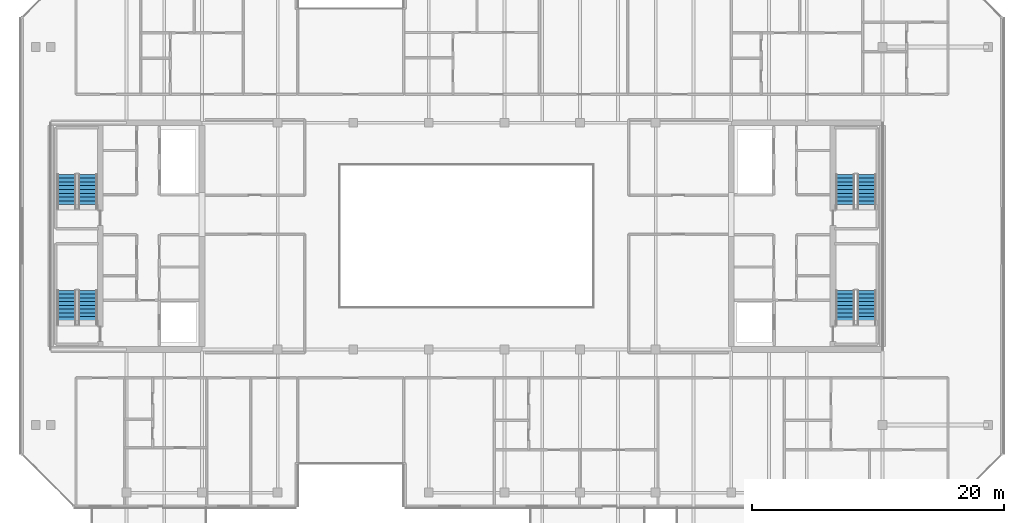
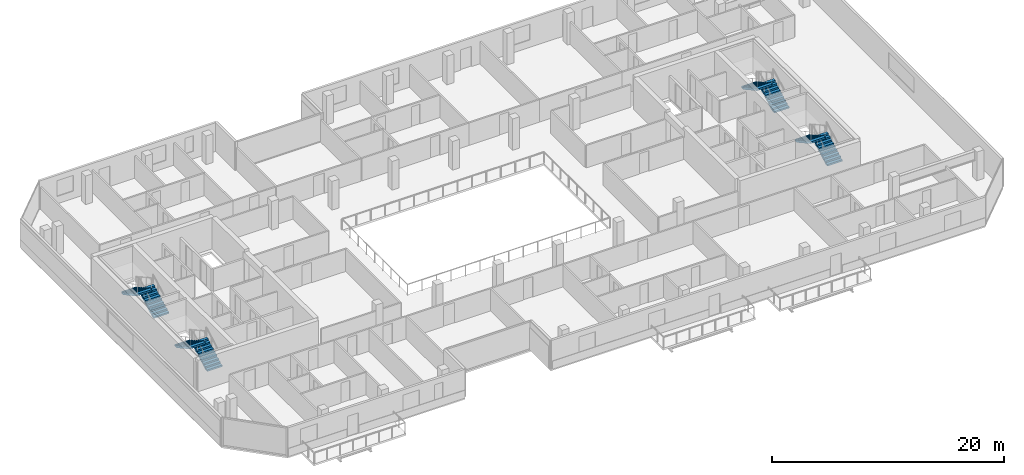
# One storey, part 20 of 24: 8 stair flights, 4 elements without a shape of their own.
"""IFC4 building model written with IfcOpenShell, lengths in metres."""

from ifc_helpers import new_model, si_unit, direction, frame, origin, place, context, subcontext, project, spatial, polyline, outline, extrude, material, type_object, element, aggregate, save


model = new_model("IFC4")

# Units and contexts
model_context = context("Model", 3, precision=1e-05, world=origin(), true_north=direction((0.0, 1.0)))
body_context = subcontext(model_context, "Body", "Model", "MODEL_VIEW")
ifc_project = project(units=[si_unit("LENGTHUNIT", "METRE"), si_unit("AREAUNIT", "SQUARE_METRE"), si_unit("VOLUMEUNIT", "CUBIC_METRE"), si_unit("PLANEANGLEUNIT", "RADIAN"), si_unit("MASSUNIT", "GRAM", prefix="KILO")], contexts=[model_context])

# Site, building, storey
site_placement = place(None, origin())
site = spatial("IfcSite", under=ifc_project, at=site_placement, CompositionType="ELEMENT")
building_placement = place(site_placement, origin())
building = spatial("IfcBuilding", under=site, at=building_placement, Name="Tanjung Sevakor Pilgrim Tower", CompositionType="ELEMENT")
storey_placement = place(building_placement, frame((0.0, 0.0, 226.050048828125)))
storey = spatial("IfcBuildingStorey", under=building, at=storey_placement, Name="L63", CompositionType="ELEMENT", Elevation=226.050048828125)

# Stair, stair flights
ifc_material_1 = material(Name="Concrete C40/50", Category="concrete")
stair_type = type_object("IfcStairType", Name="STAIR-ST-CR150", PredefinedType="HALF_TURN_STAIR", material=ifc_material_1)
stair_1_placement = place(storey_placement, origin())
stair_1 = element("IfcStair", 1, at=stair_1_placement, inside=storey, type_object=stair_type, Name="L63 West Core Exit Stair 1", PredefinedType="HALF_TURN_STAIR")
ifc_material_2 = material(Name="Concrete C40/50", Category="concrete")
stair_flight_type = type_object("IfcStairFlightType", Name="FLIGHT-ST-CR150", PredefinedType="STRAIGHT", material=ifc_material_2)
stair_flight_1_placement = place(storey_placement, frame((26.949951171875, 26.60009765625, 0.0), z_axis=(0.0, 0.0, 1.0), x_axis=(0.0, 1.0, 0.0)))
stair_flight_1 = element("IfcStairFlight", 2, at=stair_flight_1_placement, type_object=stair_flight_type, Name="TS-W1 flight 1", NumberOfRisers=10, NumberOfTreads=9, PredefinedType="STRAIGHT", RiserHeight=0.165, TreadLength=0.3, context=body_context, shape_type="SweptSolid", body=[
    extrude(outline(polyline([(0.0, 0.0), (0.0, 0.1650390625), (0.300048828125, 0.1650390625), (0.300048828125, 0.330078125), (0.60009765625, 0.330078125), (0.60009765625, 0.4951171875), (0.89990234375, 0.4951171875), (0.89990234375, 0.659912109375), (1.199951171875, 0.659912109375), (1.199951171875, 0.824951171875), (1.5, 0.824951171875), (1.5, 0.989990234375), (1.800048828125, 0.989990234375), (1.800048828125, 1.155029296875), (2.10009765625, 1.155029296875), (2.10009765625, 1.320068359375), (2.39990234375, 1.320068359375), (2.39990234375, 1.485107421875), (2.699951171875, 1.485107421875), (2.699951171875, 1.64990234375), (2.699951171875, 1.302490234375), (0.331787109375, 0.0), (0.0, 0.0)])), frame((0.0, 0.75, 0.0), z_axis=(0.0, -1.0, 0.0), x_axis=(1.0, 0.0, 0.0)), (0.0, 0.0, 1.0), 1.5),
])
stair_flight_2_placement = place(storey_placement, frame((25.25, 29.300048828125, 1.64990234375), z_axis=(0.0, 0.0, 1.0), x_axis=(0.0, -1.0, 0.0)))
stair_flight_2 = element("IfcStairFlight", 3, at=stair_flight_2_placement, type_object=stair_flight_type, Name="TS-W1 flight 2", NumberOfRisers=10, NumberOfTreads=9, PredefinedType="STRAIGHT", RiserHeight=0.165, TreadLength=0.3, context=body_context, shape_type="SweptSolid", body=[
    extrude(outline(polyline([(0.0, 0.0), (0.0, 0.1650390625), (0.300048828125, 0.1650390625), (0.300048828125, 0.330078125), (0.60009765625, 0.330078125), (0.60009765625, 0.4951171875), (0.89990234375, 0.4951171875), (0.89990234375, 0.659912109375), (1.199951171875, 0.659912109375), (1.199951171875, 0.824951171875), (1.5, 0.824951171875), (1.5, 0.989990234375), (1.800048828125, 0.989990234375), (1.800048828125, 1.155029296875), (2.10009765625, 1.155029296875), (2.10009765625, 1.320068359375), (2.39990234375, 1.320068359375), (2.39990234375, 1.485107421875), (2.699951171875, 1.485107421875), (2.699951171875, 1.64990234375), (2.699951171875, 1.302490234375), (0.331787109375, 0.0), (0.0, 0.0)])), frame((0.0, 0.75, 0.0), z_axis=(0.0, -1.0, 0.0), x_axis=(1.0, 0.0, 0.0)), (0.0, 0.0, 1.0), 1.5),
])
aggregate(stair_1, [stair_flight_1, stair_flight_2])

stair_2_placement = place(storey_placement, origin())
stair_2 = element("IfcStair", 4, at=stair_2_placement, inside=storey, type_object=stair_type, Name="L63 West Core Exit Stair 2", PredefinedType="HALF_TURN_STAIR")
stair_flight_3_placement = place(storey_placement, frame((26.949951171875, 35.800048828125, 0.0), z_axis=(0.0, 0.0, 1.0), x_axis=(0.0, 1.0, 0.0)))
stair_flight_3 = element("IfcStairFlight", 5, at=stair_flight_3_placement, type_object=stair_flight_type, Name="TS-W2 flight 1", NumberOfRisers=10, NumberOfTreads=9, PredefinedType="STRAIGHT", RiserHeight=0.165, TreadLength=0.3, context=body_context, shape_type="SweptSolid", body=[
    extrude(outline(polyline([(0.0, 0.0), (0.0, 0.1650390625), (0.300048828125, 0.1650390625), (0.300048828125, 0.330078125), (0.60009765625, 0.330078125), (0.60009765625, 0.4951171875), (0.89990234375, 0.4951171875), (0.89990234375, 0.659912109375), (1.199951171875, 0.659912109375), (1.199951171875, 0.824951171875), (1.5, 0.824951171875), (1.5, 0.989990234375), (1.800048828125, 0.989990234375), (1.800048828125, 1.155029296875), (2.10009765625, 1.155029296875), (2.10009765625, 1.320068359375), (2.39990234375, 1.320068359375), (2.39990234375, 1.485107421875), (2.699951171875, 1.485107421875), (2.699951171875, 1.64990234375), (2.699951171875, 1.302490234375), (0.331787109375, 0.0), (0.0, 0.0)])), frame((0.0, 0.75, 0.0), z_axis=(0.0, -1.0, 0.0), x_axis=(1.0, 0.0, 0.0)), (0.0, 0.0, 1.0), 1.5),
])
stair_flight_4_placement = place(storey_placement, frame((25.25, 38.5, 1.64990234375), z_axis=(0.0, 0.0, 1.0), x_axis=(0.0, -1.0, 0.0)))
stair_flight_4 = element("IfcStairFlight", 6, at=stair_flight_4_placement, type_object=stair_flight_type, Name="TS-W2 flight 2", NumberOfRisers=10, NumberOfTreads=9, PredefinedType="STRAIGHT", RiserHeight=0.165, TreadLength=0.3, context=body_context, shape_type="SweptSolid", body=[
    extrude(outline(polyline([(0.0, 0.0), (0.0, 0.1650390625), (0.300048828125, 0.1650390625), (0.300048828125, 0.330078125), (0.60009765625, 0.330078125), (0.60009765625, 0.4951171875), (0.89990234375, 0.4951171875), (0.89990234375, 0.659912109375), (1.199951171875, 0.659912109375), (1.199951171875, 0.824951171875), (1.5, 0.824951171875), (1.5, 0.989990234375), (1.800048828125, 0.989990234375), (1.800048828125, 1.155029296875), (2.10009765625, 1.155029296875), (2.10009765625, 1.320068359375), (2.39990234375, 1.320068359375), (2.39990234375, 1.485107421875), (2.699951171875, 1.485107421875), (2.699951171875, 1.64990234375), (2.699951171875, 1.302490234375), (0.331787109375, 0.0), (0.0, 0.0)])), frame((0.0, 0.75, 0.0), z_axis=(0.0, -1.0, 0.0), x_axis=(1.0, 0.0, 0.0)), (0.0, 0.0, 1.0), 1.5),
])
aggregate(stair_2, [stair_flight_3, stair_flight_4])

stair_3_placement = place(storey_placement, origin())
stair_3 = element("IfcStair", 7, at=stair_3_placement, inside=storey, type_object=stair_type, Name="L63 East Core Exit Stair 1", PredefinedType="HALF_TURN_STAIR")
stair_flight_5_placement = place(storey_placement, frame((88.75, 26.60009765625, 0.0), z_axis=(0.0, 0.0, 1.0), x_axis=(0.0, 1.0, 0.0)))
stair_flight_5 = element("IfcStairFlight", 8, at=stair_flight_5_placement, type_object=stair_flight_type, Name="TS-E1 flight 1", NumberOfRisers=10, NumberOfTreads=9, PredefinedType="STRAIGHT", RiserHeight=0.165, TreadLength=0.3, context=body_context, shape_type="SweptSolid", body=[
    extrude(outline(polyline([(0.0, 0.0), (0.0, 0.1650390625), (0.300048828125, 0.1650390625), (0.300048828125, 0.330078125), (0.60009765625, 0.330078125), (0.60009765625, 0.4951171875), (0.89990234375, 0.4951171875), (0.89990234375, 0.659912109375), (1.199951171875, 0.659912109375), (1.199951171875, 0.824951171875), (1.5, 0.824951171875), (1.5, 0.989990234375), (1.800048828125, 0.989990234375), (1.800048828125, 1.155029296875), (2.10009765625, 1.155029296875), (2.10009765625, 1.320068359375), (2.39990234375, 1.320068359375), (2.39990234375, 1.485107421875), (2.699951171875, 1.485107421875), (2.699951171875, 1.64990234375), (2.699951171875, 1.302490234375), (0.331787109375, 0.0), (0.0, 0.0)])), frame((0.0, 0.75, 0.0), z_axis=(0.0, -1.0, 0.0), x_axis=(1.0, 0.0, 0.0)), (0.0, 0.0, 1.0), 1.5),
])
stair_flight_6_placement = place(storey_placement, frame((87.050048828125, 29.300048828125, 1.64990234375), z_axis=(0.0, 0.0, 1.0), x_axis=(0.0, -1.0, 0.0)))
stair_flight_6 = element("IfcStairFlight", 9, at=stair_flight_6_placement, type_object=stair_flight_type, Name="TS-E1 flight 2", NumberOfRisers=10, NumberOfTreads=9, PredefinedType="STRAIGHT", RiserHeight=0.165, TreadLength=0.3, context=body_context, shape_type="SweptSolid", body=[
    extrude(outline(polyline([(0.0, 0.0), (0.0, 0.1650390625), (0.300048828125, 0.1650390625), (0.300048828125, 0.330078125), (0.60009765625, 0.330078125), (0.60009765625, 0.4951171875), (0.89990234375, 0.4951171875), (0.89990234375, 0.659912109375), (1.199951171875, 0.659912109375), (1.199951171875, 0.824951171875), (1.5, 0.824951171875), (1.5, 0.989990234375), (1.800048828125, 0.989990234375), (1.800048828125, 1.155029296875), (2.10009765625, 1.155029296875), (2.10009765625, 1.320068359375), (2.39990234375, 1.320068359375), (2.39990234375, 1.485107421875), (2.699951171875, 1.485107421875), (2.699951171875, 1.64990234375), (2.699951171875, 1.302490234375), (0.331787109375, 0.0), (0.0, 0.0)])), frame((0.0, 0.75, 0.0), z_axis=(0.0, -1.0, 0.0), x_axis=(1.0, 0.0, 0.0)), (0.0, 0.0, 1.0), 1.5),
])
aggregate(stair_3, [stair_flight_5, stair_flight_6])

stair_4_placement = place(storey_placement, origin())
stair_4 = element("IfcStair", 10, at=stair_4_placement, inside=storey, type_object=stair_type, Name="L63 East Core Exit Stair 2", PredefinedType="HALF_TURN_STAIR")
stair_flight_7_placement = place(storey_placement, frame((88.75, 35.800048828125, 0.0), z_axis=(0.0, 0.0, 1.0), x_axis=(0.0, 1.0, 0.0)))
stair_flight_7 = element("IfcStairFlight", 11, at=stair_flight_7_placement, type_object=stair_flight_type, Name="TS-E2 flight 1", NumberOfRisers=10, NumberOfTreads=9, PredefinedType="STRAIGHT", RiserHeight=0.165, TreadLength=0.3, context=body_context, shape_type="SweptSolid", body=[
    extrude(outline(polyline([(0.0, 0.0), (0.0, 0.1650390625), (0.300048828125, 0.1650390625), (0.300048828125, 0.330078125), (0.60009765625, 0.330078125), (0.60009765625, 0.4951171875), (0.89990234375, 0.4951171875), (0.89990234375, 0.659912109375), (1.199951171875, 0.659912109375), (1.199951171875, 0.824951171875), (1.5, 0.824951171875), (1.5, 0.989990234375), (1.800048828125, 0.989990234375), (1.800048828125, 1.155029296875), (2.10009765625, 1.155029296875), (2.10009765625, 1.320068359375), (2.39990234375, 1.320068359375), (2.39990234375, 1.485107421875), (2.699951171875, 1.485107421875), (2.699951171875, 1.64990234375), (2.699951171875, 1.302490234375), (0.331787109375, 0.0), (0.0, 0.0)])), frame((0.0, 0.75, 0.0), z_axis=(0.0, -1.0, 0.0), x_axis=(1.0, 0.0, 0.0)), (0.0, 0.0, 1.0), 1.5),
])
stair_flight_8_placement = place(storey_placement, frame((87.050048828125, 38.5, 1.64990234375), z_axis=(0.0, 0.0, 1.0), x_axis=(0.0, -1.0, 0.0)))
stair_flight_8 = element("IfcStairFlight", 12, at=stair_flight_8_placement, type_object=stair_flight_type, Name="TS-E2 flight 2", NumberOfRisers=10, NumberOfTreads=9, PredefinedType="STRAIGHT", RiserHeight=0.165, TreadLength=0.3, context=body_context, shape_type="SweptSolid", body=[
    extrude(outline(polyline([(0.0, 0.0), (0.0, 0.1650390625), (0.300048828125, 0.1650390625), (0.300048828125, 0.330078125), (0.60009765625, 0.330078125), (0.60009765625, 0.4951171875), (0.89990234375, 0.4951171875), (0.89990234375, 0.659912109375), (1.199951171875, 0.659912109375), (1.199951171875, 0.824951171875), (1.5, 0.824951171875), (1.5, 0.989990234375), (1.800048828125, 0.989990234375), (1.800048828125, 1.155029296875), (2.10009765625, 1.155029296875), (2.10009765625, 1.320068359375), (2.39990234375, 1.320068359375), (2.39990234375, 1.485107421875), (2.699951171875, 1.485107421875), (2.699951171875, 1.64990234375), (2.699951171875, 1.302490234375), (0.331787109375, 0.0), (0.0, 0.0)])), frame((0.0, 0.75, 0.0), z_axis=(0.0, -1.0, 0.0), x_axis=(1.0, 0.0, 0.0)), (0.0, 0.0, 1.0), 1.5),
])
aggregate(stair_4, [stair_flight_7, stair_flight_8])

save(model, "model.ifc")
